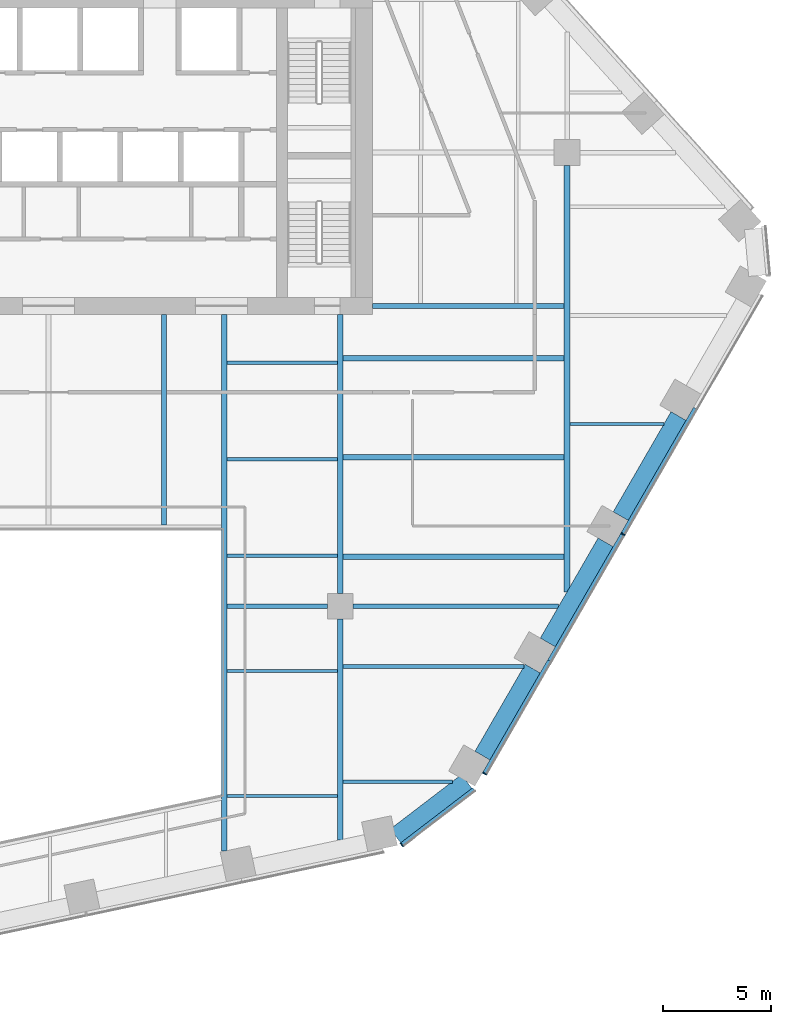
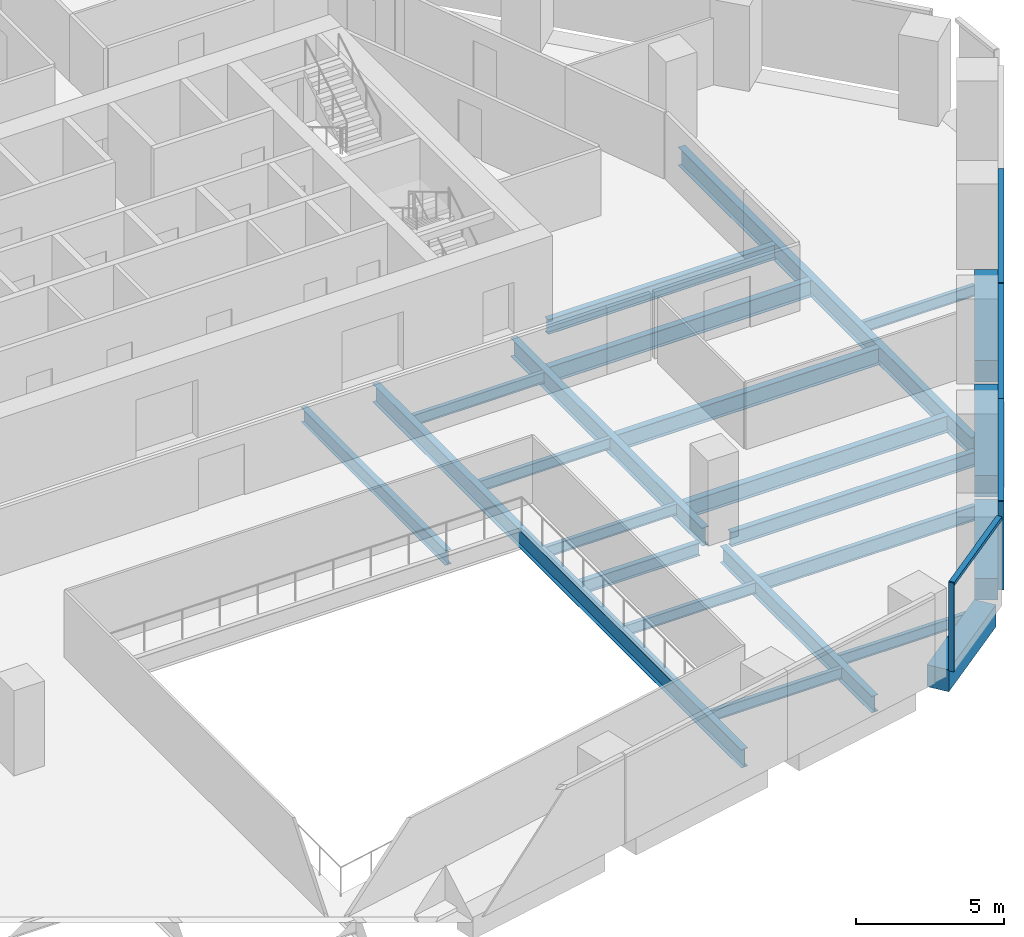
# One storey, part 5 of 16: 23 beams, 7 members, 2 elements without a shape of their own.
"""IFC4 building model written with IfcOpenShell, lengths in metres."""

import ifcopenshell
import ifcopenshell.guid

model = None  # the IFC model being written
_history = None  # IfcOwnerHistory: only IFC2X3 demands one
_inside = {}  # id of a spatial element -> (the spatial element, [elements in it])
_under = {}  # id of a project, library or spatial element -> (it, [spatial elements below it])
_declared = {}  # id of a project -> (the project, [libraries it declares])
_typed = {}  # id of a type object -> (the type object, [elements of that type])
_made_of = {}  # id of a material, layer set ... -> (it, [elements and type objects made of it])


def new_model(schema):
    """Start an empty IFC model of exactly this schema.

    Asked for "IFC4X3", IfcOpenShell would pick the latest addendum, in which some entities
    have other attributes; the version numbers below select the first issue.
    IFC2X3 requires an IfcOwnerHistory on every rooted entity: one is made here for all.
    """
    global model, _history
    if schema == "IFC4X3":
        model = ifcopenshell.file(schema_version=(4, 3, 0, 0))
    else:
        model = ifcopenshell.file(schema=schema)
    _inside.clear()
    _under.clear()
    _declared.clear()
    _typed.clear()
    _made_of.clear()
    _history = None
    if model.schema == "IFC2X3":
        org = make("IfcOrganization", Name="unknown")
        user = make(
            "IfcPersonAndOrganization",
            ThePerson=make("IfcPerson", FamilyName="unknown"),
            TheOrganization=org,
        )
        app = make(
            "IfcApplication",
            ApplicationDeveloper=org,
            Version="unknown",
            ApplicationFullName="unknown",
            ApplicationIdentifier="unknown",
        )
        _history = make(
            "IfcOwnerHistory",
            OwningUser=user,
            OwningApplication=app,
            ChangeAction="ADDED",
            CreationDate=0,
        )
    return model


def make(cls, **values):
    """One entity of the class cls with the attributes given. An attribute that is None is left unset."""
    return model.create_entity(
        cls, **{name: value for name, value in values.items() if value is not None}
    )


def rooted(cls, **values):
    """An entity with a GlobalId (a new one), such as an element, a storey or a relation."""
    return make(cls, GlobalId=ifcopenshell.guid.new(), OwnerHistory=_history, **values)


def si_unit(unit_type, name, prefix=None):
    """IfcSIUnit, for example si_unit("LENGTHUNIT", "METRE", prefix="MILLI")."""
    return make("IfcSIUnit", UnitType=unit_type, Prefix=prefix, Name=name)


def assignment(units):
    """IfcUnitAssignment: the units of a project."""
    return None if units is None else make("IfcUnitAssignment", Units=units)


def point(xyz):
    """IfcCartesianPoint."""
    return None if xyz is None else make("IfcCartesianPoint", Coordinates=xyz)


def direction(xyz):
    """IfcDirection."""
    return None if xyz is None else make("IfcDirection", DirectionRatios=xyz)


def frame(location, z_axis=None, x_axis=None):
    """IfcAxis2Placement3D, a coordinate frame: its origin and axes. An axis left out is left unset."""
    return make(
        "IfcAxis2Placement3D",
        Location=point(location),
        Axis=direction(z_axis),
        RefDirection=direction(x_axis),
    )


def frame_2d(location, x_axis=None):
    """IfcAxis2Placement2D, a coordinate frame in the plane: its origin and x axis."""
    return make(
        "IfcAxis2Placement2D", Location=point(location), RefDirection=direction(x_axis)
    )


def origin():
    """The frame at (0, 0, 0) with its axes left unset."""
    return frame((0.0, 0.0, 0.0))


def origin_2d():
    """The frame at (0, 0) in the plane with its x axis left unset."""
    return frame_2d((0.0, 0.0))


def place(relative_to, where):
    """IfcLocalPlacement: puts the frame where relative to a parent placement (None: the world)."""
    return make(
        "IfcLocalPlacement", PlacementRelTo=relative_to, RelativePlacement=where
    )


def context(
    kind, dimensions, precision=None, world=None, true_north=None, identifier=None
):
    """IfcGeometricRepresentationContext, for example the 3D "Model" context."""
    return make(
        "IfcGeometricRepresentationContext",
        ContextIdentifier=identifier,
        ContextType=kind,
        CoordinateSpaceDimension=dimensions,
        Precision=precision,
        WorldCoordinateSystem=world,
        TrueNorth=true_north,
    )


def subcontext(parent, identifier, kind, view, scale=None):
    """IfcGeometricRepresentationSubContext, for example "Body" below "Model"."""
    return make(
        "IfcGeometricRepresentationSubContext",
        ContextIdentifier=identifier,
        ContextType=kind,
        ParentContext=parent,
        TargetScale=scale,
        TargetView=view,
    )


def project(units=None, contexts=None):
    """IfcProject with its units and contexts."""
    return rooted(
        "IfcProject",
        Name="project",
        RepresentationContexts=contexts,
        UnitsInContext=assignment(units),
    )


def spatial(cls, under=None, at=None, **own):
    """A site, building, storey or space (cls), placed at a placement, below another one or the project."""
    s = rooted(cls, ObjectPlacement=at, **own)
    if under is not None:
        _under.setdefault(under.id(), (under, []))[1].append(s)
    return s


def profile(cls, at=None, kind="AREA", **sizes):
    """A parametric profile (cls). Its sizes go by their IFC names, for example OverallWidth=200.0."""
    return make(cls, ProfileType=kind, Position=at, **sizes)


def rectangle(**sizes):
    """IfcRectangleProfileDef."""
    return profile("IfcRectangleProfileDef", **sizes)


def i_section(**sizes):
    """IfcIShapeProfileDef."""
    return profile("IfcIShapeProfileDef", **sizes)


def extrude(swept, where, along, depth):
    """IfcExtrudedAreaSolid: the profile swept, set in the frame where, extruded along a direction by depth."""
    return make(
        "IfcExtrudedAreaSolid",
        SweptArea=swept,
        Position=where,
        ExtrudedDirection=direction(along),
        Depth=depth,
    )


def shape(context_of_items, identifier, shape_type, items):
    """IfcShapeRepresentation: the items that make up one representation, for example the "Body"."""
    return make(
        "IfcShapeRepresentation",
        ContextOfItems=context_of_items,
        RepresentationIdentifier=identifier,
        RepresentationType=shape_type,
        Items=items,
    )


def material(Name=None, Category=None):
    """IfcMaterial."""
    return make("IfcMaterial", Name=Name, Category=Category)


def layer(
    of_material, thickness, ventilated=None, Name=None, Category=None, Priority=None
):
    """IfcMaterialLayer: one layer of a wall or slab, of a material (None: an air gap)."""
    return make(
        "IfcMaterialLayer",
        Material=of_material,
        LayerThickness=thickness,
        IsVentilated=ventilated,
        Name=Name,
        Category=Category,
        Priority=Priority,
    )


def layer_set(layers, Name=None):
    """IfcMaterialLayerSet."""
    return make("IfcMaterialLayerSet", MaterialLayers=layers, LayerSetName=Name)


def material_profile(
    of_material, cross_section, Name=None, Category=None, Priority=None
):
    """IfcMaterialProfile: a cross section and its material."""
    return make(
        "IfcMaterialProfile",
        Name=Name,
        Material=of_material,
        Profile=cross_section,
        Priority=Priority,
        Category=Category,
    )


def profile_set(profiles, Name=None, composite=None):
    """IfcMaterialProfileSet."""
    return make(
        "IfcMaterialProfileSet",
        Name=Name,
        MaterialProfiles=profiles,
        CompositeProfile=composite,
    )


def made_of(thing, what):
    """Note that an element or type object is made of a material, layer set ...; save() writes the relation."""
    if what is not None:
        _made_of.setdefault(what.id(), (what, []))[1].append(thing)
    return thing


def type_object(cls, material=None, **own):
    """A type object (cls), such as IfcWallType, which elements share."""
    return made_of(rooted(cls, **own), material)


def element(
    cls,
    number,
    at=None,
    inside=None,
    cuts=None,
    type_object=None,
    material=None,
    context=None,
    identifier="Body",
    shape_type=None,
    held_by="IfcProductDefinitionShape",
    body=None,
    shapes=None,
    **own,
):
    """One element of the class cls, such as IfcWall. Its Tag is "e" and its number.

    at: its placement. inside: the storey or other place that contains it. cuts: it is an
    opening in that element (IfcRelVoidsElement). A single representation is given by context,
    identifier, shape_type and body (its items); several are given by shapes. held_by: the class
    of the entity that holds the representations. save() writes the other relations.
    """
    e = rooted(cls, Tag="e%d" % number, ObjectPlacement=at, **own)
    if body is not None:
        shapes = [shape(context, identifier, shape_type, body)]
    if shapes is not None:
        e.Representation = make(held_by, Representations=shapes)
    if inside is not None:
        _inside.setdefault(inside.id(), (inside, []))[1].append(e)
    if cuts is not None:
        rooted(
            "IfcRelVoidsElement", RelatingBuildingElement=cuts, RelatedOpeningElement=e
        )
    if type_object is not None:
        _typed.setdefault(type_object.id(), (type_object, []))[1].append(e)
    return made_of(e, material)


def aggregate(whole, parts):
    """IfcRelAggregates: a whole, such as a stair, and the parts it consists of."""
    return rooted("IfcRelAggregates", RelatingObject=whole, RelatedObjects=parts)


def save(model, path):
    """Write the relations noted so far, then the file.

    IfcRelAggregates (storeys below a building ...), IfcRelContainedInSpatialStructure (elements
    in a storey), IfcRelDefinesByType, IfcRelAssociatesMaterial and IfcRelDeclares: one each for
    every whole, place, type object, material and project.
    """
    for whole, parts in _under.values():
        aggregate(whole, parts)
    for where, things in _inside.values():
        rooted(
            "IfcRelContainedInSpatialStructure",
            RelatedElements=things,
            RelatingStructure=where,
        )
    for kind, things in _typed.values():
        rooted("IfcRelDefinesByType", RelatedObjects=things, RelatingType=kind)
    for what, things in _made_of.values():
        rooted("IfcRelAssociatesMaterial", RelatedObjects=things, RelatingMaterial=what)
    for by, libraries in _declared.values():
        rooted("IfcRelDeclares", RelatingContext=by, RelatedDefinitions=libraries)
    model.write(path)


model = new_model("IFC4")

# Units and contexts
model_context = context("Model", 3, precision=1e-05, world=origin(), true_north=direction((0.0, 1.0)))
body_context = subcontext(model_context, "Body", "Model", "MODEL_VIEW")
ifc_project = project(units=[si_unit("LENGTHUNIT", "METRE"), si_unit("AREAUNIT", "SQUARE_METRE"), si_unit("VOLUMEUNIT", "CUBIC_METRE"), si_unit("PLANEANGLEUNIT", "RADIAN"), si_unit("MASSUNIT", "GRAM", prefix="KILO")], contexts=[model_context])

# Site, building, storey
site_placement = place(None, origin())
site = spatial("IfcSite", under=ifc_project, at=site_placement, CompositionType="ELEMENT")
building_placement = place(site_placement, origin())
building = spatial("IfcBuilding", under=site, at=building_placement, Name="Isthmus Gate Tower", CompositionType="ELEMENT")
storey_placement = place(building_placement, frame((0.0, 0.0, 133.449951171875)))
storey = spatial("IfcBuildingStorey", under=building, at=storey_placement, Name="L32", CompositionType="ELEMENT", Elevation=133.449951171875)

# Curtain wall, member
ifc_material_1 = material(Name="Aluminium, pale champagne anodised", Category="aluminium")
ifc_layer = layer(ifc_material_1, 0.199951171875)
ifc_layer_set = layer_set([ifc_layer], Name="CW-1 UNITISED CURTAIN WALL 200 DEEP")
curtain_wall_type = type_object("IfcCurtainWallType", Name="CW-1 UNITISED CURTAIN WALL 200 DEEP", PredefinedType="NOTDEFINED", material=ifc_layer_set)
curtain_wall_1_placement = place(storey_placement, origin())
curtain_wall_1 = element("IfcCurtainWall", 1, at=curtain_wall_1_placement, inside=storey, type_object=curtain_wall_type, Name="CW-1 S-SE L32", PredefinedType="NOTDEFINED")
ifc_material_2 = material(Name="Aluminium, pale champagne anodised", Category="aluminium")
ifc_material_profile_1 = material_profile(ifc_material_2, rectangle(XDim=0.06005859375, YDim=0.199951171875, at=origin_2d()), Name="60x200")
ifc_profile_set_1 = profile_set([ifc_material_profile_1], Name="Aluminium, pale champagne anodised")
member_type_1 = type_object("IfcMemberType", Name="CW-1 MULLION 60 X 200", PredefinedType="MULLION", material=ifc_profile_set_1)
member_1_placement = place(storey_placement, frame((16.346435546875, -24.5419921875, 0.0), z_axis=(0.0, 0.0, 1.0), x_axis=(0.794188594387, 0.607671355706, 0.0)))
member_1 = element("IfcMember", 2, at=member_1_placement, type_object=member_type_1, Name="CW-1 mullion", PredefinedType="MULLION", context=body_context, shape_type="SweptSolid", body=[
    extrude(rectangle(XDim=0.06005859375, YDim=0.199951171875, at=origin_2d()), origin(), (0.0, 0.0, 1.0), 3.650146484375),
])

# Curtain wall, members
curtain_wall_2_placement = place(storey_placement, origin())
curtain_wall_2 = element("IfcCurtainWall", 3, at=curtain_wall_2_placement, inside=storey, type_object=curtain_wall_type, Name="CW-1 SE L32", PredefinedType="NOTDEFINED")
member_2_placement = place(storey_placement, frame((20.18115234375, -21.245361328125, 0.0), z_axis=(0.0, 0.0, 1.0), x_axis=(0.5, 0.866025403784, 0.0)))
member_2 = element("IfcMember", 4, at=member_2_placement, type_object=member_type_1, Name="CW-1 mullion", PredefinedType="MULLION", context=body_context, shape_type="SweptSolid", body=[
    extrude(rectangle(XDim=0.06005859375, YDim=0.199951171875, at=origin_2d()), origin(), (0.0, 0.0, 1.0), 3.650146484375),
])
member_3_placement = place(storey_placement, frame((26.5810546875, -10.16015625, 0.0), z_axis=(0.0, 0.0, 1.0), x_axis=(0.5, 0.866025403784, 0.0)))
member_3 = element("IfcMember", 5, at=member_3_placement, type_object=member_type_1, Name="CW-1 mullion", PredefinedType="MULLION", context=body_context, shape_type="SweptSolid", body=[
    extrude(rectangle(XDim=0.06005859375, YDim=0.199951171875, at=origin_2d()), origin(), (0.0, 0.0, 1.0), 3.650146484375),
])

# Member
ifc_material_3 = material(Name="Aluminium, pale champagne anodised", Category="aluminium")
ifc_material_profile_2 = material_profile(ifc_material_3, rectangle(XDim=0.199951171875, YDim=0.139892578125, at=origin_2d()), Name="200x140")
ifc_profile_set_2 = profile_set([ifc_material_profile_2], Name="Aluminium, pale champagne anodised")
member_type_2 = type_object("IfcMemberType", Name="CW-1 TRANSOM 200 X 140", PredefinedType="USERDEFINED", material=ifc_profile_set_2)
member_4_placement = place(storey_placement, frame((16.3701171875, -24.52392578125, 3.580078125), z_axis=(0.79419705805, 0.607660294066, 0.0), x_axis=(-0.607660294066, 0.79419705805, 0.0)))
member_4 = element("IfcMember", 6, at=member_4_placement, type_object=member_type_2, Name="CW-1 transom", ObjectType="TRANSOM", PredefinedType="USERDEFINED", context=body_context, shape_type="SweptSolid", body=[
    extrude(rectangle(XDim=0.199951171875, YDim=0.139892578125, at=origin_2d()), origin(), (0.0, 0.0, 1.0), 4.181640625),
])

aggregate(curtain_wall_1, [member_1, member_4])

member_5_placement = place(storey_placement, frame((20.196044921875, -21.219482421875, 3.580078125), z_axis=(0.499996458184, 0.866027448643, 0.0), x_axis=(-0.866027448643, 0.499996458184, 0.0)))
member_5 = element("IfcMember", 7, at=member_5_placement, type_object=member_type_2, Name="CW-1 transom", ObjectType="TRANSOM", PredefinedType="USERDEFINED", context=body_context, shape_type="SweptSolid", body=[
    extrude(rectangle(XDim=0.199951171875, YDim=0.139892578125, at=origin_2d()), origin(), (0.0, 0.0, 1.0), 5.990234375),
])

member_6_placement = place(storey_placement, frame((23.191162109375, -16.03173828125, 3.580078125), z_axis=(0.499997969693, 0.866026575979, 0.0), x_axis=(-0.866026575979, 0.499997969693, 0.0)))
member_6 = element("IfcMember", 8, at=member_6_placement, type_object=member_type_2, Name="CW-1 transom", ObjectType="TRANSOM", PredefinedType="USERDEFINED", context=body_context, shape_type="SweptSolid", body=[
    extrude(rectangle(XDim=0.199951171875, YDim=0.139892578125, at=origin_2d()), origin(), (0.0, 0.0, 1.0), 6.75),
])

member_7_placement = place(storey_placement, frame((26.59619140625, -10.134033203125, 3.580078125), z_axis=(0.499997283838, 0.866026971956, 0.0), x_axis=(-0.866026971956, 0.499997283838, 0.0)))
member_7 = element("IfcMember", 9, at=member_7_placement, type_object=member_type_2, Name="CW-1 transom", ObjectType="TRANSOM", PredefinedType="USERDEFINED", context=body_context, shape_type="SweptSolid", body=[
    extrude(rectangle(XDim=0.199951171875, YDim=0.139892578125, at=origin_2d()), origin(), (0.0, 0.0, 1.0), 6.68994140625),
])

aggregate(curtain_wall_2, [member_2, member_5, member_6, member_3, member_7])

# Beams
ifc_material_4 = material(Name="Concrete f'c 60 MPa", Category="concrete")
ifc_material_profile_3 = material_profile(ifc_material_4, rectangle(XDim=0.800048828125, YDim=0.89990234375, at=origin_2d()), Name="RC 800X900")
ifc_profile_set_3 = profile_set([ifc_material_profile_3], Name="Concrete f'c 60 MPa")
beam_type_1 = type_object("IfcBeamType", Name="RC SPANDREL 800 X 900", PredefinedType="SPANDREL", material=ifc_profile_set_3)
for number, where, z_axis, x_axis, name in (
    (10, (29.158203125, -4.696533203125, -0.449951171875), (-0.500001594578, -0.866024483152, 0.0), (0.866024483152, -0.500001594578, 0.0), "str-spandrel-L32-07"),
    (11, (25.783203125, -10.542236328125, -0.449951171875), (-0.500001594578, -0.866024483152, 0.0), (0.866024483152, -0.500001594578, 0.0), "str-spandrel-L32-08"),
):
    element("IfcBeam", number, at=place(storey_placement, frame(where, z_axis=z_axis, x_axis=x_axis)), inside=storey, type_object=beam_type_1, Name=name, PredefinedType="SPANDREL", context=body_context, shape_type="SweptSolid", body=[
        extrude(rectangle(XDim=0.800048828125, YDim=0.89990234375, at=origin_2d()), origin(), (0.0, 0.0, 1.0), 5.35009765625),
    ])
beam_1_placement = place(storey_placement, frame((22.408203125, -16.387939453125, -0.449951171875), z_axis=(-0.500001179632, -0.866024722723, 0.0), x_axis=(0.866024722723, -0.500001179632, 0.0)))
element("IfcBeam", 12, at=beam_1_placement, inside=storey, type_object=beam_type_1, Name="str-spandrel-L32-09", PredefinedType="SPANDREL", context=body_context, shape_type="SweptSolid", body=[
    extrude(rectangle(XDim=0.800048828125, YDim=0.89990234375, at=origin_2d()), origin(), (0.0, 0.0, 1.0), 4.650390625),
])
beam_2_placement = place(storey_placement, frame((19.354248046875, -21.611083984375, -0.449951171875), z_axis=(-0.794205941875, -0.607648682949, 0.0), x_axis=(0.607648682949, -0.794205941875, 0.0)))
element("IfcBeam", 13, at=beam_2_placement, inside=storey, type_object=beam_type_1, Name="str-spandrel-L32-10", PredefinedType="SPANDREL", context=body_context, shape_type="SweptSolid", body=[
    extrude(rectangle(XDim=0.800048828125, YDim=0.89990234375, at=origin_2d()), origin(), (0.0, 0.0, 1.0), 4.15234375),
])
ifc_material_5 = material(Name="Structural steel ASTM A992 Gr 50", Category="steel")
ifc_material_profile_4 = material_profile(ifc_material_5, i_section(OverallWidth=0.15234375, OverallDepth=0.45068359375, WebThickness=0.0078125, FlangeThickness=0.010986328125, at=origin_2d()), Name="W18X35")
ifc_profile_set_4 = profile_set([ifc_material_profile_4], Name="Structural steel ASTM A992 Gr 50")
beam_type_2 = type_object("IfcBeamType", Name="STEEL FLOOR BEAM W18X35", PredefinedType="JOIST", material=ifc_profile_set_4)
for number, where, z_axis, x_axis, name in (
    (14, (8.263427734375, -22.283203125, -0.375244140625), (1.0, 0.0, 0.0), (0.0, 1.0, 0.0), "str-beam-L32-09-00"),
    (15, (8.263427734375, -16.49755859375, -0.375244140625), (1.0, 0.0, 0.0), (0.0, 1.0, 0.0), "str-beam-L32-09-01"),
):
    element("IfcBeam", number, at=place(storey_placement, frame(where, z_axis=z_axis, x_axis=x_axis)), inside=storey, type_object=beam_type_2, Name=name, PredefinedType="JOIST", context=body_context, shape_type="SweptSolid", body=[
        extrude(i_section(OverallWidth=0.15234375, OverallDepth=0.45068359375, WebThickness=0.0078125, FlangeThickness=0.010986328125, at=origin_2d()), origin(), (0.0, 0.0, 1.0), 5.109619140625),
    ])
for number, where, z_axis, x_axis, name in (
    (16, (8.263427734375, -11.16259765625, -0.375244140625), (1.0, 0.0, 0.0), (0.0, 1.0, 0.0), "str-beam-L32-10-00"),
    (17, (8.263427734375, -6.697509765625, -0.375244140625), (1.0, 0.0, 0.0), (0.0, 1.0, 0.0), "str-beam-L32-10-01"),
    (18, (8.263427734375, -2.232421875, -0.375244140625), (1.0, 0.0, 0.0), (0.0, 1.0, 0.0), "str-beam-L32-10-02"),
):
    element("IfcBeam", number, at=place(storey_placement, frame(where, z_axis=z_axis, x_axis=x_axis)), inside=storey, type_object=beam_type_2, Name=name, PredefinedType="JOIST", context=body_context, shape_type="SweptSolid", body=[
        extrude(i_section(OverallWidth=0.15234375, OverallDepth=0.45068359375, WebThickness=0.0078125, FlangeThickness=0.010986328125, at=origin_2d()), origin(), (0.0, 0.0, 1.0), 5.104736328125),
    ])
beam_3_placement = place(storey_placement, frame((13.626953125, -21.61767578125, -0.375244140625), z_axis=(1.0, 0.0, 0.0), x_axis=(0.0, 1.0, 0.0)))
element("IfcBeam", 19, at=beam_3_placement, inside=storey, type_object=beam_type_2, Name="str-beam-L32-11-00", PredefinedType="JOIST", context=body_context, shape_type="SweptSolid", body=[
    extrude(i_section(OverallWidth=0.15234375, OverallDepth=0.45068359375, WebThickness=0.0078125, FlangeThickness=0.010986328125, at=origin_2d()), origin(), (0.0, 0.0, 1.0), 5.060302734375),
])
beam_4_placement = place(storey_placement, frame((24.13330078125, -5.0625, -0.375244140625), z_axis=(1.0, 0.0, 0.0), x_axis=(0.0, 1.0, 0.0)))
element("IfcBeam", 20, at=beam_4_placement, inside=storey, type_object=beam_type_2, Name="str-beam-L32-16-00", PredefinedType="JOIST", context=body_context, shape_type="SweptSolid", body=[
    extrude(i_section(OverallWidth=0.15234375, OverallDepth=0.45068359375, WebThickness=0.0078125, FlangeThickness=0.010986328125, at=origin_2d()), origin(), (0.0, 0.0, 1.0), 4.351806640625),
])
ifc_material_6 = material(Name="Structural steel ASTM A992 Gr 50", Category="steel")
ifc_material_profile_5 = material_profile(ifc_material_6, i_section(OverallWidth=0.177734375, OverallDepth=0.60009765625, WebThickness=0.009521484375, FlangeThickness=0.0126953125, at=origin_2d()), Name="W24X55")
ifc_profile_set_5 = profile_set([ifc_material_profile_5], Name="Structural steel ASTM A992 Gr 50")
beam_type_3 = type_object("IfcBeamType", Name="STEEL FLOOR BEAM W24X55", PredefinedType="JOIST", material=ifc_profile_set_5)
beam_5_placement = place(storey_placement, frame((13.626953125, -16.2822265625, -0.449951171875), z_axis=(1.0, 0.0, 0.0), x_axis=(0.0, 1.0, 0.0)))
element("IfcBeam", 21, at=beam_5_placement, inside=storey, type_object=beam_type_3, Name="str-beam-L32-11-01", PredefinedType="JOIST", context=body_context, shape_type="SweptSolid", body=[
    extrude(i_section(OverallWidth=0.177734375, OverallDepth=0.60009765625, WebThickness=0.009521484375, FlangeThickness=0.0126953125, at=origin_2d()), origin(), (0.0, 0.0, 1.0), 8.38037109375),
])
ifc_material_7 = material(Name="Structural steel ASTM A992 Gr 50", Category="steel")
ifc_material_profile_6 = material_profile(ifc_material_7, i_section(OverallWidth=0.228515625, OverallDepth=0.603271484375, WebThickness=0.010986328125, FlangeThickness=0.014404296875, at=origin_2d()), Name="W24X68")
ifc_profile_set_6 = profile_set([ifc_material_profile_6], Name="Structural steel ASTM A992 Gr 50")
beam_type_4 = type_object("IfcBeamType", Name="STEEL FLOOR BEAM W24X68", PredefinedType="JOIST", material=ifc_profile_set_6)
beam_6_placement = place(storey_placement, frame((5.333251953125, -9.7333984375, -0.45166015625), z_axis=(0.0, 1.0, 0.0), x_axis=(-1.0, 0.0, 0.0)))
element("IfcBeam", 22, at=beam_6_placement, inside=storey, type_object=beam_type_4, Name="str-beam-L32-06-02", PredefinedType="JOIST", context=body_context, shape_type="SweptSolid", body=[
    extrude(i_section(OverallWidth=0.228515625, OverallDepth=0.603271484375, WebThickness=0.010986328125, FlangeThickness=0.014404296875, at=origin_2d()), origin(), (0.0, 0.0, 1.0), 9.7333984375),
])
ifc_material_8 = material(Name="Structural steel ASTM A992 Gr 50", Category="steel")
ifc_material_profile_7 = material_profile(ifc_material_8, i_section(OverallWidth=0.25390625, OverallDepth=0.679443359375, WebThickness=0.010986328125, FlangeThickness=0.015869140625, at=origin_2d()), Name="W27X84")
ifc_profile_set_7 = profile_set([ifc_material_profile_7], Name="Structural steel ASTM A992 Gr 50")
beam_type_5 = type_object("IfcBeamType", Name="STEEL FLOOR BEAM W27X84", PredefinedType="JOIST", material=ifc_profile_set_7)
for number, where, z_axis, x_axis, name in (
    (23, (13.6318359375, -11.202392578125, -0.48974609375), (1.0, 0.0, 0.0), (0.0, 1.0, 0.0), "str-beam-L32-12-00"),
    (24, (13.6318359375, -6.607177734375, -0.48974609375), (1.0, 0.0, 0.0), (0.0, 1.0, 0.0), "str-beam-L32-12-01"),
    (25, (13.6318359375, -2.011962890625, -0.48974609375), (1.0, 0.0, 0.0), (0.0, 1.0, 0.0), "str-beam-L32-12-02"),
):
    element("IfcBeam", number, at=place(storey_placement, frame(where, z_axis=z_axis, x_axis=x_axis)), inside=storey, type_object=beam_type_5, Name=name, PredefinedType="JOIST", context=body_context, shape_type="SweptSolid", body=[
        extrude(i_section(OverallWidth=0.25390625, OverallDepth=0.679443359375, WebThickness=0.010986328125, FlangeThickness=0.015869140625, at=origin_2d()), origin(), (0.0, 0.0, 1.0), 10.23486328125),
    ])
ifc_material_9 = material(Name="Structural steel ASTM A992 Gr 50", Category="steel")
ifc_material_profile_8 = material_profile(ifc_material_9, i_section(OverallWidth=0.20947265625, OverallDepth=0.533447265625, WebThickness=0.009521484375, FlangeThickness=0.015869140625, at=origin_2d()), Name="W21X62")
ifc_profile_set_8 = profile_set([ifc_material_profile_8], Name="Structural steel ASTM A992 Gr 50")
beam_type_6 = type_object("IfcBeamType", Name="STEEL GIRDER W21X62", PredefinedType="BEAM", material=ifc_profile_set_8)
beam_7_placement = place(storey_placement, frame((8.263427734375, -13.5, -0.416748046875), z_axis=(1.0, 0.0, 0.0), x_axis=(0.0, 1.0, 0.0)))
element("IfcBeam", 26, at=beam_7_placement, inside=storey, type_object=beam_type_6, Name="str-girder-L32-03", PredefinedType="BEAM", context=body_context, shape_type="SweptSolid", body=[
    extrude(i_section(OverallWidth=0.20947265625, OverallDepth=0.533447265625, WebThickness=0.009521484375, FlangeThickness=0.015869140625, at=origin_2d()), origin(), (0.0, 0.0, 1.0), 4.636474609375),
])
ifc_material_10 = material(Name="Structural steel ASTM A992 Gr 50", Category="steel")
ifc_material_profile_9 = material_profile(ifc_material_10, i_section(OverallWidth=0.228515625, OverallDepth=0.6064453125, WebThickness=0.010986328125, FlangeThickness=0.017578125, at=origin_2d()), Name="W24X76")
ifc_profile_set_9 = profile_set([ifc_material_profile_9], Name="Structural steel ASTM A992 Gr 50")
beam_type_7 = type_object("IfcBeamType", Name="STEEL GIRDER W24X76", PredefinedType="BEAM", material=ifc_profile_set_9)
beam_8_placement = place(storey_placement, frame((14.10009765625, -13.5, -0.453125), z_axis=(1.0, 0.0, 0.0), x_axis=(0.0, 1.0, 0.0)))
element("IfcBeam", 27, at=beam_8_placement, inside=storey, type_object=beam_type_7, Name="str-girder-L32-04", PredefinedType="BEAM", context=body_context, shape_type="SweptSolid", body=[
    extrude(i_section(OverallWidth=0.228515625, OverallDepth=0.6064453125, WebThickness=0.010986328125, FlangeThickness=0.017578125, at=origin_2d()), origin(), (0.0, 0.0, 1.0), 9.513427734375),
])
beam_9_placement = place(storey_placement, frame((15.0, 0.39990234375, -0.453125), z_axis=(1.0, 0.0, 0.0), x_axis=(0.0, 1.0, 0.0)))
element("IfcBeam", 28, at=beam_9_placement, inside=storey, type_object=beam_type_7, Name="str-girder-L32-14", PredefinedType="BEAM", context=body_context, shape_type="SweptSolid", body=[
    extrude(i_section(OverallWidth=0.228515625, OverallDepth=0.6064453125, WebThickness=0.010986328125, FlangeThickness=0.017578125, at=origin_2d()), origin(), (0.0, 0.0, 1.0), 8.86669921875),
])
ifc_material_11 = material(Name="Structural steel ASTM A992 Gr 50", Category="steel")
ifc_material_profile_10 = material_profile(ifc_material_11, i_section(OverallWidth=0.25390625, OverallDepth=0.679443359375, WebThickness=0.010986328125, FlangeThickness=0.015869140625, at=origin_2d()), Name="W27X84")
ifc_profile_set_10 = profile_set([ifc_material_profile_10], Name="Structural steel ASTM A992 Gr 50")
beam_type_8 = type_object("IfcBeamType", Name="STEEL GIRDER W27X84", PredefinedType="BEAM", material=ifc_profile_set_10)
beam_10_placement = place(storey_placement, frame((13.5, -24.3125, -0.48974609375), z_axis=(0.0, 1.0, 0.0), x_axis=(-1.0, 0.0, 0.0)))
element("IfcBeam", 29, at=beam_10_placement, inside=storey, type_object=beam_type_8, Name="str-girder-L32-09", PredefinedType="BEAM", context=body_context, shape_type="SweptSolid", body=[
    extrude(i_section(OverallWidth=0.25390625, OverallDepth=0.679443359375, WebThickness=0.010986328125, FlangeThickness=0.015869140625, at=origin_2d()), origin(), (0.0, 0.0, 1.0), 10.21240234375),
])
ifc_material_12 = material(Name="Structural steel ASTM A992 Gr 50", Category="steel")
ifc_material_profile_11 = material_profile(ifc_material_12, i_section(OverallWidth=0.2666015625, OverallDepth=0.7587890625, WebThickness=0.014404296875, FlangeThickness=0.01904296875, at=origin_2d()), Name="W30X108")
ifc_profile_set_11 = profile_set([ifc_material_profile_11], Name="Structural steel ASTM A992 Gr 50")
beam_type_9 = type_object("IfcBeamType", Name="STEEL GIRDER W30X108", PredefinedType="BEAM", material=ifc_profile_set_11)
beam_11_placement = place(storey_placement, frame((24.0, -12.830810546875, -0.529296875), z_axis=(0.0, 1.0, 0.0), x_axis=(-1.0, 0.0, 0.0)))
element("IfcBeam", 30, at=beam_11_placement, inside=storey, type_object=beam_type_9, Name="str-girder-L32-11", PredefinedType="BEAM", context=body_context, shape_type="SweptSolid", body=[
    extrude(i_section(OverallWidth=0.2666015625, OverallDepth=0.7587890625, WebThickness=0.014404296875, FlangeThickness=0.01904296875, at=origin_2d()), origin(), (0.0, 0.0, 1.0), 19.730712890625),
])
ifc_material_13 = material(Name="Structural steel ASTM A992 Gr 50", Category="steel")
ifc_material_profile_12 = material_profile(ifc_material_13, i_section(OverallWidth=0.263427734375, OverallDepth=0.749267578125, WebThickness=0.0126953125, FlangeThickness=0.015869140625, at=origin_2d()), Name="W30X90")
ifc_profile_set_12 = profile_set([ifc_material_profile_12], Name="Structural steel ASTM A992 Gr 50")
beam_type_10 = type_object("IfcBeamType", Name="STEEL GIRDER W30X90", PredefinedType="BEAM", material=ifc_profile_set_12)
beam_12_placement = place(storey_placement, frame((13.5, -12.89990234375, -0.524658203125), z_axis=(0.0, 1.0, 0.0), x_axis=(-1.0, 0.0, 0.0)))
element("IfcBeam", 31, at=beam_12_placement, inside=storey, type_object=beam_type_10, Name="str-girder-L32-10", PredefinedType="BEAM", context=body_context, shape_type="SweptSolid", body=[
    extrude(i_section(OverallWidth=0.263427734375, OverallDepth=0.749267578125, WebThickness=0.0126953125, FlangeThickness=0.015869140625, at=origin_2d()), origin(), (0.0, 0.0, 1.0), 12.89990234375),
])
ifc_material_14 = material(Name="Structural steel ASTM A992 Gr 50", Category="steel")
ifc_material_profile_13 = material_profile(ifc_material_14, i_section(OverallWidth=0.263427734375, OverallDepth=0.749267578125, WebThickness=0.0126953125, FlangeThickness=0.015869140625, at=origin_2d()), Name="W30X90")
ifc_profile_set_13 = profile_set([ifc_material_profile_13], Name="Structural steel ASTM A992 Gr 50")
beam_type_11 = type_object("IfcBeamType", Name="STEEL TRIMMER W30X90", PredefinedType="BEAM", material=ifc_profile_set_13)
beam_13_placement = place(storey_placement, frame((8.1318359375, -24.84033203125, -0.524658203125), z_axis=(0.0, 1.0, 0.0), x_axis=(-1.0, 0.0, 0.0)))
element("IfcBeam", 32, at=beam_13_placement, inside=storey, type_object=beam_type_11, Name="str-trimmer-L32-01", PredefinedType="BEAM", context=body_context, shape_type="SweptSolid", body=[
    extrude(i_section(OverallWidth=0.263427734375, OverallDepth=0.749267578125, WebThickness=0.0126953125, FlangeThickness=0.015869140625, at=origin_2d()), origin(), (0.0, 0.0, 1.0), 24.84033203125),
])

save(model, "model.ifc")
